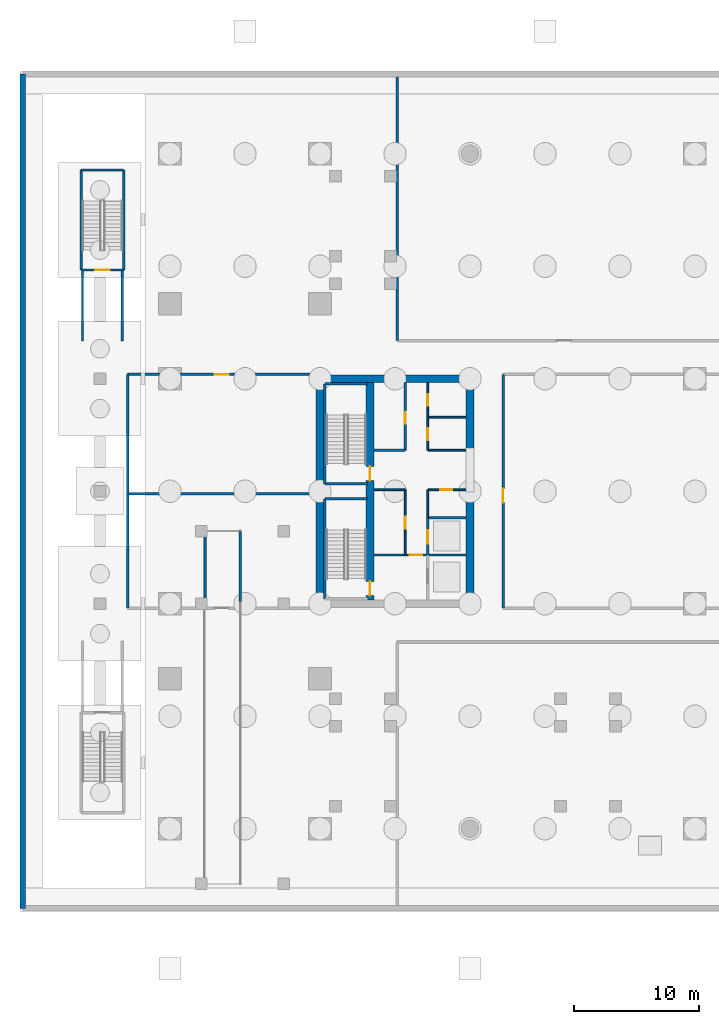
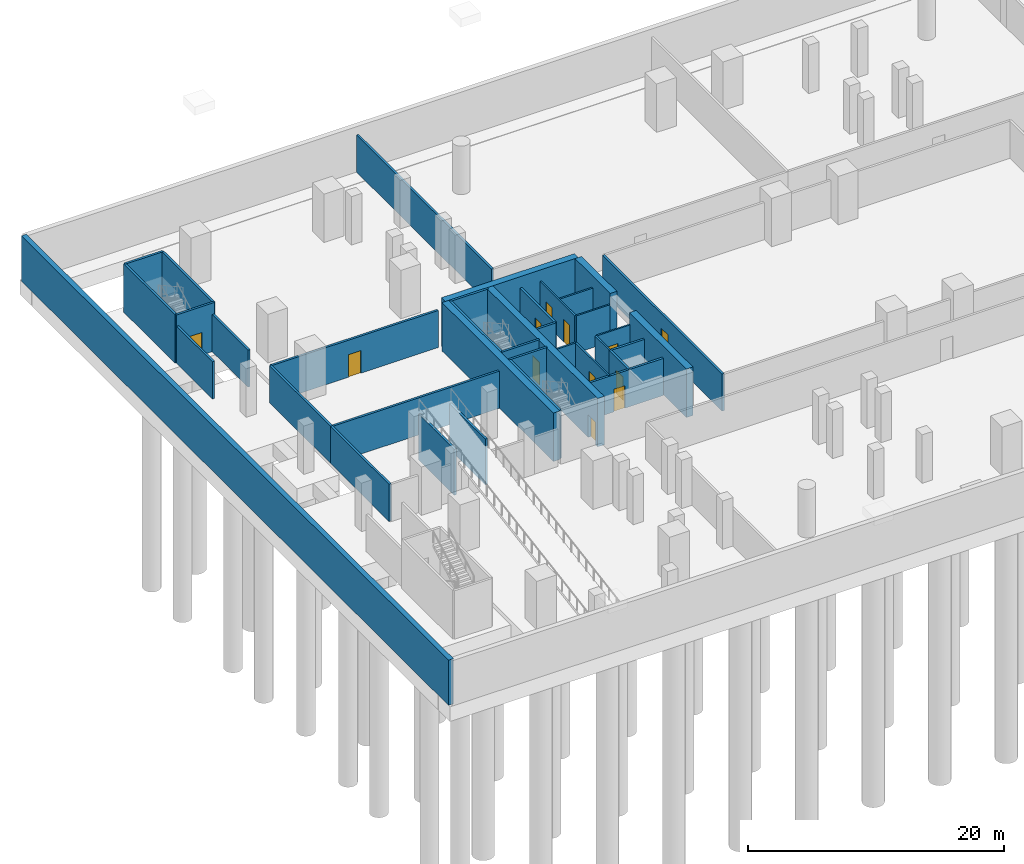
# One storey, part 6 of 14: 37 walls, 12 doors, 12 openings.
"""IFC4 building model written with IfcOpenShell, lengths in metres."""

from ifc_helpers import new_model, si_unit, direction, frame, frame_2d, origin, place, context, subcontext, project, spatial, rectangle, extrude, material, layer, layer_set, type_object, element, fill, save


model = new_model("IFC4")

# Units and contexts
model_context = context("Model", 3, precision=1e-05, world=origin(), true_north=direction((0.0, 1.0)))
body_context = subcontext(model_context, "Body", "Model", "MODEL_VIEW")
ifc_project = project(units=[si_unit("LENGTHUNIT", "METRE"), si_unit("AREAUNIT", "SQUARE_METRE"), si_unit("VOLUMEUNIT", "CUBIC_METRE"), si_unit("PLANEANGLEUNIT", "RADIAN"), si_unit("MASSUNIT", "GRAM", prefix="KILO")], contexts=[model_context])

# Site, building, storey
site_placement = place(None, origin())
site = spatial("IfcSite", under=ifc_project, at=site_placement, CompositionType="ELEMENT")
building_placement = place(site_placement, origin())
building = spatial("IfcBuilding", under=site, at=building_placement, Name="Tanjung Sevakor Pilgrim Tower", CompositionType="ELEMENT")
storey_placement = place(building_placement, frame((0.0, 0.0, -9.239990234375)))
storey = spatial("IfcBuildingStorey", under=building, at=storey_placement, Name="B02", CompositionType="ELEMENT", Elevation=-9.239990234375)

# Walls
ifc_material_1 = material(Name="Concrete C60/75", Category="concrete")
ifc_layer_1 = layer(ifc_material_1, 0.60009765625)
ifc_layer_set_1 = layer_set([ifc_layer_1], Name="WALL-CW-600B")
wall_type_1 = type_object("IfcWallType", Name="WALL-CW-600B", PredefinedType="SHEAR", material=ifc_layer_set_1)
wall_1_placement = place(storey_placement, frame((36.0, 42.60009765625, 0.0), z_axis=(0.0, 0.0, 1.0), x_axis=(-1.0, 0.0, 0.0)))
element("IfcWall", 1, at=wall_1_placement, inside=storey, type_object=wall_type_1, Name="B02 W Core North Shear Wall", PredefinedType="SHEAR", context=body_context, shape_type="SweptSolid", body=[
    extrude(rectangle(XDim=12.0, YDim=0.60009765625, at=frame_2d((6.0, 0.0))), origin(), (0.0, 0.0, 1.0), 4.619873046875),
])
wall_2_placement = place(storey_placement, frame((24.0, 24.89990234375, 0.0), z_axis=(0.0, 0.0, 1.0), x_axis=(0.0, 1.0, 0.0)))
element("IfcWall", 2, at=wall_2_placement, inside=storey, type_object=wall_type_1, Name="B02 W Core Outer Shear Wall", PredefinedType="SHEAR", context=body_context, shape_type="SweptSolid", body=[
    extrude(rectangle(XDim=17.400146484375, YDim=0.60009765625, at=frame_2d((8.7001953125, 0.0))), origin(), (0.0, 0.0, 1.0), 4.619873046875),
])
wall_3_placement = place(storey_placement, frame((36.0, 24.89990234375, 0.0), z_axis=(0.0, 0.0, 1.0), x_axis=(0.0, 1.0, 0.0)))
element("IfcWall", 3, at=wall_3_placement, inside=storey, type_object=wall_type_1, Name="B02 W Core Inner Shear Wall South", PredefinedType="SHEAR", context=body_context, shape_type="SweptSolid", body=[
    extrude(rectangle(XDim=8.900146484375, YDim=0.60009765625, at=frame_2d((4.4501953125, 0.0))), origin(), (0.0, 0.0, 1.0), 4.619873046875),
])
wall_4_placement = place(storey_placement, frame((36.0, 36.800048828125, 0.0), z_axis=(0.0, 0.0, 1.0), x_axis=(0.0, 1.0, 0.0)))
element("IfcWall", 4, at=wall_4_placement, inside=storey, type_object=wall_type_1, Name="B02 W Core Inner Shear Wall North", PredefinedType="SHEAR", context=body_context, shape_type="SweptSolid", body=[
    extrude(rectangle(XDim=5.5, YDim=0.60009765625, at=frame_2d((2.75, 0.0))), origin(), (0.0, 0.0, 1.0), 4.619873046875),
])

# Wall, openings, doors
wall_5_placement = place(storey_placement, frame((28.0, 24.89990234375, 0.0), z_axis=(0.0, 0.0, 1.0), x_axis=(0.0, 1.0, 0.0)))
wall_5 = element("IfcWall", 5, at=wall_5_placement, inside=storey, type_object=wall_type_1, Name="B02 W Core Stair Spine Wall", PredefinedType="SHEAR", context=body_context, shape_type="SweptSolid", body=[
    extrude(rectangle(XDim=17.400146484375, YDim=0.60009765625, at=frame_2d((8.7001953125, 0.0))), origin(), (0.0, 0.0, 1.0), 4.619873046875),
])
opening_1_placement = place(wall_5_placement, frame((0.35009765625, 0.0, 0.0)))
opening_1 = element("IfcOpeningElement", 6, at=opening_1_placement, cuts=wall_5, Name="Opening ID-ST1", PredefinedType="OPENING", context=body_context, shape_type="SweptSolid", body=[
    extrude(rectangle(XDim=1.14990234375, YDim=2.14990234375, at=frame_2d((0.574951171875, 1.074951171875))), frame((0.0, 0.31005859375, 0.0), z_axis=(0.0, -1.0, 0.0), x_axis=(1.0, 0.0, 0.0)), (0.0, 0.0, 1.0), 0.6201171875),
])
opening_2_placement = place(wall_5_placement, frame((9.550048828125, 0.0, 0.0)))
opening_2 = element("IfcOpeningElement", 7, at=opening_2_placement, cuts=wall_5, Name="Opening ID-ST1", PredefinedType="OPENING", context=body_context, shape_type="SweptSolid", body=[
    extrude(rectangle(XDim=1.14990234375, YDim=2.14990234375, at=frame_2d((0.574951171875, 1.074951171875))), frame((0.0, 0.31005859375, 0.0), z_axis=(0.0, -1.0, 0.0), x_axis=(1.0, 0.0, 0.0)), (0.0, 0.0, 1.0), 0.6201171875),
])
ifc_material_2 = material(Name="Fire-Rated Steel S355J2", Category="steel")
door_type_1 = type_object("IfcDoorType", Name="DT-FIRE-1150", OperationType="NOTDEFINED", PredefinedType="DOOR", material=ifc_material_2)
door_1_placement = place(opening_1_placement, origin())
door_1 = element("IfcDoor", 8, at=door_1_placement, inside=storey, type_object=door_type_1, Name="B02 TS-W1 Stair Fire Door", OperationType="SINGLE_SWING_LEFT", OverallHeight=2.14990234375, OverallWidth=1.14990234375, PredefinedType="DOOR", context=body_context, shape_type="SweptSolid", body=[
    extrude(rectangle(XDim=1.14990234375, YDim=2.14990234375, at=frame_2d((0.574951171875, 1.074951171875))), frame((0.0, 0.02490234375, 0.0), z_axis=(0.0, -1.0, 0.0), x_axis=(1.0, 0.0, 0.0)), (0.0, 0.0, 1.0), 0.050048828125),
])
fill(opening_1, door_1)
door_2_placement = place(opening_2_placement, origin())
door_2 = element("IfcDoor", 9, at=door_2_placement, inside=storey, type_object=door_type_1, Name="B02 TS-W2 Stair Fire Door", OperationType="SINGLE_SWING_RIGHT", OverallHeight=2.14990234375, OverallWidth=1.14990234375, PredefinedType="DOOR", context=body_context, shape_type="SweptSolid", body=[
    extrude(rectangle(XDim=1.14990234375, YDim=2.14990234375, at=frame_2d((0.574951171875, 1.074951171875))), frame((0.0, 0.02490234375, 0.0), z_axis=(0.0, -1.0, 0.0), x_axis=(1.0, 0.0, 0.0)), (0.0, 0.0, 1.0), 0.050048828125),
])
fill(opening_2, door_2)

# Wall
ifc_material_3 = material(Name="Concrete C40/50", Category="concrete")
ifc_layer_2 = layer(ifc_material_3, 0.14990234375)
ifc_layer_set_2 = layer_set([ifc_layer_2], Name="WT-COMP-150")
wall_type_2 = type_object("IfcWallType", Name="WT-COMP-150", PredefinedType="SOLIDWALL", material=ifc_layer_set_2)
wall_6_placement = place(storey_placement, frame((28.320068359375, 33.719970703125, 0.0), z_axis=(0.0, 0.0, 1.0), x_axis=(1.0, 0.0, 0.0)))
element("IfcWall", 10, at=wall_6_placement, inside=storey, type_object=wall_type_2, Name="B02 Partition IW-B02-003", PredefinedType="SOLIDWALL", context=body_context, shape_type="SweptSolid", body=[
    extrude(rectangle(XDim=2.47998046875, YDim=0.14990234375, at=frame_2d((1.239990234375, 0.0))), origin(), (0.0, 0.0, 1.0), 3.5400390625),
])

# Wall, opening, door
wall_7_placement = place(storey_placement, frame((30.820068359375, 28.5, 0.0), z_axis=(0.0, 0.0, 1.0), x_axis=(0.0, 1.0, 0.0)))
wall_7 = element("IfcWall", 11, at=wall_7_placement, inside=storey, type_object=wall_type_2, Name="B02 Partition IW-B02-004", PredefinedType="SOLIDWALL", context=body_context, shape_type="SweptSolid", body=[
    extrude(rectangle(XDim=5.219970703125, YDim=0.14990234375, at=frame_2d((2.60986328125, 0.0))), origin(), (0.0, 0.0, 1.0), 3.5400390625),
])
opening_3_placement = place(wall_7_placement, frame((2.10009765625, 0.0, 0.0)))
opening_3 = element("IfcOpeningElement", 12, at=opening_3_placement, cuts=wall_7, Name="Opening ID-FD2", PredefinedType="OPENING", context=body_context, shape_type="SweptSolid", body=[
    extrude(rectangle(XDim=0.949951171875, YDim=2.14990234375, at=frame_2d((0.47509765625, 1.074951171875))), frame((0.0, 0.0849609375, 0.0), z_axis=(0.0, -1.0, 0.0), x_axis=(1.0, 0.0, 0.0)), (0.0, 0.0, 1.0), 0.169921875),
])
ifc_material_4 = material(Name="Fire-Rated Timber", Category="wood")
door_type_2 = type_object("IfcDoorType", Name="DT-FIRE-950", OperationType="NOTDEFINED", PredefinedType="DOOR", material=ifc_material_4)
door_3_placement = place(opening_3_placement, origin())
door_3 = element("IfcDoor", 13, at=door_3_placement, inside=storey, type_object=door_type_2, Name="B02 Housekeeping Pantry Door", OperationType="SINGLE_SWING_RIGHT", OverallHeight=2.14990234375, OverallWidth=0.949951171875, PredefinedType="DOOR", context=body_context, shape_type="SweptSolid", body=[
    extrude(rectangle(XDim=0.949951171875, YDim=2.14990234375, at=frame_2d((0.47509765625, 1.074951171875))), frame((0.0, 0.02490234375, 0.0), z_axis=(0.0, -1.0, 0.0), x_axis=(1.0, 0.0, 0.0)), (0.0, 0.0, 1.0), 0.050048828125),
])
fill(opening_3, door_3)

# Wall
wall_8_placement = place(storey_placement, frame((32.6201171875, 31.47998046875, 0.0), z_axis=(0.0, 0.0, 1.0), x_axis=(0.0, 1.0, 0.0)))
element("IfcWall", 14, at=wall_8_placement, inside=storey, type_object=wall_type_2, Name="B02 Partition IW-B02-007", PredefinedType="SOLIDWALL", context=body_context, shape_type="SweptSolid", body=[
    extrude(rectangle(XDim=2.239990234375, YDim=0.14990234375, at=frame_2d((1.1201171875, 0.0))), origin(), (0.0, 0.0, 1.0), 3.5400390625),
])

# Wall, opening, door
wall_9_placement = place(storey_placement, frame((32.679931640625, 33.719970703125, 0.0), z_axis=(0.0, 0.0, 1.0), x_axis=(1.0, 0.0, 0.0)))
wall_9 = element("IfcWall", 15, at=wall_9_placement, inside=storey, type_object=wall_type_2, Name="B02 Partition IW-B02-008", PredefinedType="SOLIDWALL", context=body_context, shape_type="SweptSolid", body=[
    extrude(rectangle(XDim=3.0, YDim=0.14990234375, at=frame_2d((1.5, 0.0))), origin(), (0.0, 0.0, 1.0), 3.5400390625),
])
opening_4_placement = place(wall_9_placement, frame((0.949951171875, 0.0, 0.0)))
opening_4 = element("IfcOpeningElement", 16, at=opening_4_placement, cuts=wall_9, Name="Opening ID-FD2", PredefinedType="OPENING", context=body_context, shape_type="SweptSolid", body=[
    extrude(rectangle(XDim=0.949951171875, YDim=2.14990234375, at=frame_2d((0.47509765625, 1.074951171875))), frame((0.0, 0.0849609375, 0.0), z_axis=(0.0, -1.0, 0.0), x_axis=(1.0, 0.0, 0.0)), (0.0, 0.0, 1.0), 0.169921875),
])
door_4_placement = place(opening_4_placement, origin())
door_4 = element("IfcDoor", 17, at=door_4_placement, inside=storey, type_object=door_type_2, Name="B02 Accessible WC Door", OperationType="SINGLE_SWING_RIGHT", OverallHeight=2.14990234375, OverallWidth=0.949951171875, PredefinedType="DOOR", context=body_context, shape_type="SweptSolid", body=[
    extrude(rectangle(XDim=0.949951171875, YDim=2.14990234375, at=frame_2d((0.47509765625, 1.074951171875))), frame((0.0, 0.02490234375, 0.0), z_axis=(0.0, -1.0, 0.0), x_axis=(1.0, 0.0, 0.0)), (0.0, 0.0, 1.0), 0.050048828125),
])
fill(opening_4, door_4)

# Walls
for number, where, z_axis, x_axis, name in (
    (18, (32.679931640625, 36.8798828125, 0.0), (0.0, 0.0, 1.0), (1.0, 0.0, 0.0), "B02 Partition IW-B02-011"),
    (19, (32.679931640625, 39.52001953125, 0.0), (0.0, 0.0, 1.0), (1.0, 0.0, 0.0), "B02 Partition IW-B02-012"),
):
    element("IfcWall", number, at=place(storey_placement, frame(where, z_axis=z_axis, x_axis=x_axis)), inside=storey, type_object=wall_type_2, Name=name, PredefinedType="SOLIDWALL", context=body_context, shape_type="SweptSolid", body=[
        extrude(rectangle(XDim=3.0, YDim=0.14990234375, at=frame_2d((1.5, 0.0))), origin(), (0.0, 0.0, 1.0), 3.5400390625),
    ])

# Wall, openings, doors
wall_10_placement = place(storey_placement, frame((32.6201171875, 36.8798828125, 0.0), z_axis=(0.0, 0.0, 1.0), x_axis=(0.0, 1.0, 0.0)))
wall_10 = element("IfcWall", 20, at=wall_10_placement, inside=storey, type_object=wall_type_2, Name="B02 Partition IW-B02-013", PredefinedType="SOLIDWALL", context=body_context, shape_type="SweptSolid", body=[
    extrude(rectangle(XDim=5.420166015625, YDim=0.14990234375, at=frame_2d((2.7099609375, 0.0))), origin(), (0.0, 0.0, 1.0), 3.5400390625),
])
opening_5_placement = place(wall_10_placement, frame((0.800048828125, 0.0, 0.0)))
opening_5 = element("IfcOpeningElement", 21, at=opening_5_placement, cuts=wall_10, Name="Opening ID-FD2", PredefinedType="OPENING", context=body_context, shape_type="SweptSolid", body=[
    extrude(rectangle(XDim=0.949951171875, YDim=2.14990234375, at=frame_2d((0.47509765625, 1.074951171875))), frame((0.0, 0.0849609375, 0.0), z_axis=(0.0, -1.0, 0.0), x_axis=(1.0, 0.0, 0.0)), (0.0, 0.0, 1.0), 0.169921875),
])
opening_6_placement = place(wall_10_placement, frame((3.550048828125, 0.0, 0.0)))
opening_6 = element("IfcOpeningElement", 22, at=opening_6_placement, cuts=wall_10, Name="Opening ID-FD2", PredefinedType="OPENING", context=body_context, shape_type="SweptSolid", body=[
    extrude(rectangle(XDim=0.949951171875, YDim=2.14990234375, at=frame_2d((0.47509765625, 1.074951171875))), frame((0.0, 0.0849609375, 0.0), z_axis=(0.0, -1.0, 0.0), x_axis=(1.0, 0.0, 0.0)), (0.0, 0.0, 1.0), 0.169921875),
])
door_5_placement = place(opening_5_placement, origin())
door_5 = element("IfcDoor", 23, at=door_5_placement, inside=storey, type_object=door_type_2, Name="B02 Public Male WC Door", OperationType="SINGLE_SWING_RIGHT", OverallHeight=2.14990234375, OverallWidth=0.949951171875, PredefinedType="DOOR", context=body_context, shape_type="SweptSolid", body=[
    extrude(rectangle(XDim=0.949951171875, YDim=2.14990234375, at=frame_2d((0.47509765625, 1.074951171875))), frame((0.0, 0.02490234375, 0.0), z_axis=(0.0, -1.0, 0.0), x_axis=(1.0, 0.0, 0.0)), (0.0, 0.0, 1.0), 0.050048828125),
])
fill(opening_5, door_5)
door_6_placement = place(opening_6_placement, origin())
door_6 = element("IfcDoor", 24, at=door_6_placement, inside=storey, type_object=door_type_2, Name="B02 Public Female WC Door", OperationType="SINGLE_SWING_LEFT", OverallHeight=2.14990234375, OverallWidth=0.949951171875, PredefinedType="DOOR", context=body_context, shape_type="SweptSolid", body=[
    extrude(rectangle(XDim=0.949951171875, YDim=2.14990234375, at=frame_2d((0.47509765625, 1.074951171875))), frame((0.0, 0.02490234375, 0.0), z_axis=(0.0, -1.0, 0.0), x_axis=(1.0, 0.0, 0.0)), (0.0, 0.0, 1.0), 0.050048828125),
])
fill(opening_6, door_6)

# Walls
ifc_material_5 = material(Name="Concrete C40/50", Category="concrete")
ifc_layer_3 = layer(ifc_material_5, 0.199951171875)
ifc_layer_set_3 = layer_set([ifc_layer_3], Name="WT-FIRE-200")
wall_type_3 = type_object("IfcWallType", Name="WT-FIRE-200", PredefinedType="SOLIDWALL", material=ifc_layer_set_3)
wall_11_placement = place(storey_placement, frame((27.800048828125, 33.0, 0.0), z_axis=(0.0, 0.0, 1.0), x_axis=(-1.0, 0.0, 0.0)))
element("IfcWall", 25, at=wall_11_placement, inside=storey, type_object=wall_type_3, Name="B02 TS-W1 Shaft Wall 2", PredefinedType="SOLIDWALL", context=body_context, shape_type="SweptSolid", body=[
    extrude(rectangle(XDim=3.400146484375, YDim=0.199951171875, at=frame_2d((1.7001953125, 0.0))), origin(), (0.0, 0.0, 1.0), 4.619873046875),
])
wall_12_placement = place(storey_placement, frame((24.39990234375, 33.0, 0.0), z_axis=(0.0, 0.0, 1.0), x_axis=(0.0, -1.0, 0.0)))
element("IfcWall", 26, at=wall_12_placement, inside=storey, type_object=wall_type_3, Name="B02 TS-W1 Shaft Wall 3", PredefinedType="SOLIDWALL", context=body_context, shape_type="SweptSolid", body=[
    extrude(rectangle(XDim=8.0, YDim=0.199951171875, at=frame_2d((4.0, 0.0))), origin(), (0.0, 0.0, 1.0), 4.619873046875),
])
for number, where, z_axis, x_axis, name in (
    (27, (24.39990234375, 34.199951171875, 0.0), (0.0, 0.0, 1.0), (1.0, 0.0, 0.0), "B02 TS-W2 Shaft Wall 1"),
    (28, (27.800048828125, 42.199951171875, 0.0), (0.0, 0.0, 1.0), (-1.0, 0.0, 0.0), "B02 TS-W2 Shaft Wall 2"),
):
    element("IfcWall", number, at=place(storey_placement, frame(where, z_axis=z_axis, x_axis=x_axis)), inside=storey, type_object=wall_type_3, Name=name, PredefinedType="SOLIDWALL", context=body_context, shape_type="SweptSolid", body=[
        extrude(rectangle(XDim=3.400146484375, YDim=0.199951171875, at=frame_2d((1.7001953125, 0.0))), origin(), (0.0, 0.0, 1.0), 4.619873046875),
    ])
wall_13_placement = place(storey_placement, frame((24.39990234375, 42.199951171875, 0.0), z_axis=(0.0, 0.0, 1.0), x_axis=(0.0, -1.0, 0.0)))
element("IfcWall", 29, at=wall_13_placement, inside=storey, type_object=wall_type_3, Name="B02 TS-W2 Shaft Wall 3", PredefinedType="SOLIDWALL", context=body_context, shape_type="SweptSolid", body=[
    extrude(rectangle(XDim=8.0, YDim=0.199951171875, at=frame_2d((4.0, 0.0))), origin(), (0.0, 0.0, 1.0), 4.619873046875),
])

# Wall, opening, door
wall_14_placement = place(storey_placement, frame((4.89990234375, 51.300048828125, 0.0), z_axis=(0.0, 0.0, 1.0), x_axis=(1.0, 0.0, 0.0)))
wall_14 = element("IfcWall", 30, at=wall_14_placement, inside=storey, type_object=wall_type_3, Name="B02 BS-2 Shaft Wall 1", PredefinedType="SOLIDWALL", context=body_context, shape_type="SweptSolid", body=[
    extrude(rectangle(XDim=3.400146484375, YDim=0.199951171875, at=frame_2d((1.7001953125, 0.0))), origin(), (0.0, 0.0, 1.0), 4.619873046875),
])
opening_7_placement = place(wall_14_placement, frame((1.125, 0.0, 0.0)))
opening_7 = element("IfcOpeningElement", 31, at=opening_7_placement, cuts=wall_14, Name="Opening ID-ST1", PredefinedType="OPENING", context=body_context, shape_type="SweptSolid", body=[
    extrude(rectangle(XDim=1.14990234375, YDim=2.14990234375, at=frame_2d((0.574951171875, 1.074951171875))), frame((0.0, 0.10986328125, 0.0), z_axis=(0.0, -1.0, 0.0), x_axis=(1.0, 0.0, 0.0)), (0.0, 0.0, 1.0), 0.219970703125),
])
door_7_placement = place(opening_7_placement, origin())
door_7 = element("IfcDoor", 32, at=door_7_placement, inside=storey, type_object=door_type_1, Name="B02 BS-2 Stair Entry Fire Door", OperationType="SINGLE_SWING_RIGHT", OverallHeight=2.14990234375, OverallWidth=1.14990234375, PredefinedType="DOOR", context=body_context, shape_type="SweptSolid", body=[
    extrude(rectangle(XDim=1.14990234375, YDim=2.14990234375, at=frame_2d((0.574951171875, 1.074951171875))), frame((0.0, 0.02490234375, 0.0), z_axis=(0.0, -1.0, 0.0), x_axis=(1.0, 0.0, 0.0)), (0.0, 0.0, 1.0), 0.050048828125),
])
fill(opening_7, door_7)

# Walls
wall_15_placement = place(storey_placement, frame((8.300048828125, 51.300048828125, 0.0), z_axis=(0.0, 0.0, 1.0), x_axis=(0.0, 1.0, 0.0)))
element("IfcWall", 33, at=wall_15_placement, inside=storey, type_object=wall_type_3, Name="B02 BS-2 Shaft Wall 2", PredefinedType="SOLIDWALL", context=body_context, shape_type="SweptSolid", body=[
    extrude(rectangle(XDim=8.0, YDim=0.199951171875, at=frame_2d((4.0, 0.0))), origin(), (0.0, 0.0, 1.0), 4.619873046875),
])
wall_16_placement = place(storey_placement, frame((8.300048828125, 59.300048828125, 0.0), z_axis=(0.0, 0.0, 1.0), x_axis=(-1.0, 0.0, 0.0)))
element("IfcWall", 34, at=wall_16_placement, inside=storey, type_object=wall_type_3, Name="B02 BS-2 Shaft Wall 3", PredefinedType="SOLIDWALL", context=body_context, shape_type="SweptSolid", body=[
    extrude(rectangle(XDim=3.400146484375, YDim=0.199951171875, at=frame_2d((1.7001953125, 0.0))), origin(), (0.0, 0.0, 1.0), 4.619873046875),
])
wall_17_placement = place(storey_placement, frame((4.89990234375, 59.300048828125, 0.0), z_axis=(0.0, 0.0, 1.0), x_axis=(0.0, -1.0, 0.0)))
element("IfcWall", 35, at=wall_17_placement, inside=storey, type_object=wall_type_3, Name="B02 BS-2 Shaft Wall 4", PredefinedType="SOLIDWALL", context=body_context, shape_type="SweptSolid", body=[
    extrude(rectangle(XDim=8.0, YDim=0.199951171875, at=frame_2d((4.0, 0.0))), origin(), (0.0, 0.0, 1.0), 4.619873046875),
])
for number, where, z_axis, x_axis, name in (
    (36, (14.800048828125, 24.800048828125, 0.0), (0.0, 0.0, 1.0), (0.0, 1.0, 0.0), "B02 Vehicle Ramp Support Wall W"),
    (37, (17.60009765625, 24.800048828125, 0.0), (0.0, 0.0, 1.0), (0.0, 1.0, 0.0), "B02 Vehicle Ramp Support Wall E"),
):
    element("IfcWall", number, at=place(storey_placement, frame(where, z_axis=z_axis, x_axis=x_axis)), inside=storey, type_object=wall_type_3, Name=name, PredefinedType="SOLIDWALL", context=body_context, shape_type="SweptSolid", body=[
        extrude(rectangle(XDim=5.599853515625, YDim=0.199951171875, at=frame_2d((2.7998046875, 0.0))), origin(), (0.0, 0.0, 1.0), 4.369873046875),
    ])

# Wall, opening, door
ifc_material_6 = material(Name="Concrete C40/50", Category="concrete")
ifc_layer_4 = layer(ifc_material_6, 0.199951171875)
ifc_layer_set_4 = layer_set([ifc_layer_4], Name="WT-FPRT-200")
wall_type_4 = type_object("IfcWallType", Name="WT-FPRT-200", PredefinedType="SOLIDWALL", material=ifc_layer_set_4)
wall_18_placement = place(storey_placement, frame((28.320068359375, 28.5, 0.0), z_axis=(0.0, 0.0, 1.0), x_axis=(1.0, 0.0, 0.0)))
wall_18 = element("IfcWall", 38, at=wall_18_placement, inside=storey, type_object=wall_type_4, Name="B02 Partition IW-B02-002", PredefinedType="SOLIDWALL", context=body_context, shape_type="SweptSolid", body=[
    extrude(rectangle(XDim=7.35986328125, YDim=0.199951171875, at=frame_2d((3.679931640625, 0.0))), origin(), (0.0, 0.0, 1.0), 3.5400390625),
])
opening_8_placement = place(wall_18_placement, frame((2.8798828125, 0.0, 0.0)))
opening_8 = element("IfcOpeningElement", 39, at=opening_8_placement, cuts=wall_18, Name="Opening ID-FD1", PredefinedType="OPENING", context=body_context, shape_type="SweptSolid", body=[
    extrude(rectangle(XDim=1.0, YDim=2.14990234375, at=frame_2d((0.5, 1.074951171875))), frame((0.0, 0.10986328125, 0.0), z_axis=(0.0, -1.0, 0.0), x_axis=(1.0, 0.0, 0.0)), (0.0, 0.0, 1.0), 0.219970703125),
])
ifc_material_7 = material(Name="Fire-Rated Steel S355J2", Category="steel")
door_type_3 = type_object("IfcDoorType", Name="DT-FIRE-1000", OperationType="NOTDEFINED", PredefinedType="DOOR", material=ifc_material_7)
door_8_placement = place(opening_8_placement, origin())
door_8 = element("IfcDoor", 40, at=door_8_placement, inside=storey, type_object=door_type_3, Name="Fire Lobby Door W", OperationType="SINGLE_SWING_LEFT", OverallHeight=2.14990234375, OverallWidth=1.0, PredefinedType="DOOR", context=body_context, shape_type="SweptSolid", body=[
    extrude(rectangle(XDim=1.0, YDim=2.14990234375, at=frame_2d((0.5, 1.074951171875))), frame((0.0, 0.02490234375, 0.0), z_axis=(0.0, -1.0, 0.0), x_axis=(1.0, 0.0, 0.0)), (0.0, 0.0, 1.0), 0.050048828125),
])
fill(opening_8, door_8)

# Wall
wall_19_placement = place(storey_placement, frame((32.679931640625, 31.47998046875, 0.0), z_axis=(0.0, 0.0, 1.0), x_axis=(1.0, 0.0, 0.0)))
element("IfcWall", 41, at=wall_19_placement, inside=storey, type_object=wall_type_4, Name="B02 Partition IW-B02-005", PredefinedType="SOLIDWALL", context=body_context, shape_type="SweptSolid", body=[
    extrude(rectangle(XDim=3.0, YDim=0.199951171875, at=frame_2d((1.5, 0.0))), origin(), (0.0, 0.0, 1.0), 3.5400390625),
])

# Wall, opening, door
wall_20_placement = place(storey_placement, frame((32.6201171875, 28.5, 0.0), z_axis=(0.0, 0.0, 1.0), x_axis=(0.0, 1.0, 0.0)))
wall_20 = element("IfcWall", 42, at=wall_20_placement, inside=storey, type_object=wall_type_4, Name="B02 Partition IW-B02-006", PredefinedType="SOLIDWALL", context=body_context, shape_type="SweptSolid", body=[
    extrude(rectangle(XDim=2.97998046875, YDim=0.199951171875, at=frame_2d((1.489990234375, 0.0))), origin(), (0.0, 0.0, 1.0), 3.5400390625),
])
opening_9_placement = place(wall_20_placement, frame((0.89990234375, 0.0, 0.0)))
opening_9 = element("IfcOpeningElement", 43, at=opening_9_placement, cuts=wall_20, Name="Opening LD-1100", PredefinedType="OPENING", context=body_context, shape_type="SweptSolid", body=[
    extrude(rectangle(XDim=1.10009765625, YDim=2.199951171875, at=frame_2d((0.550048828125, 1.10009765625))), frame((0.0, 0.10986328125, 0.0), z_axis=(0.0, -1.0, 0.0), x_axis=(1.0, 0.0, 0.0)), (0.0, 0.0, 1.0), 0.219970703125),
])
ifc_material_8 = material(Name="Brushed Stainless Steel S355J2", Category="steel")
door_type_4 = type_object("IfcDoorType", Name="DT-LIFT-1100", OperationType="SLIDING_TO_LEFT", PredefinedType="DOOR", material=ifc_material_8)
door_9_placement = place(opening_9_placement, origin())
door_9 = element("IfcDoor", 44, at=door_9_placement, inside=storey, type_object=door_type_4, Name="LD-SLP-W", OperationType="SLIDING_TO_LEFT", OverallHeight=2.199951171875, OverallWidth=1.10009765625, PredefinedType="DOOR", context=body_context, shape_type="SweptSolid", body=[
    extrude(rectangle(XDim=1.10009765625, YDim=2.199951171875, at=frame_2d((0.550048828125, 1.10009765625))), frame((0.0, 0.02490234375, 0.0), z_axis=(0.0, -1.0, 0.0), x_axis=(1.0, 0.0, 0.0)), (0.0, 0.0, 1.0), 0.050048828125),
])
fill(opening_9, door_9)

# Wall
wall_21_placement = place(storey_placement, frame((28.320068359375, 36.8798828125, 0.0), z_axis=(0.0, 0.0, 1.0), x_axis=(1.0, 0.0, 0.0)))
element("IfcWall", 45, at=wall_21_placement, inside=storey, type_object=wall_type_4, Name="B02 Partition IW-B02-009", PredefinedType="SOLIDWALL", context=body_context, shape_type="SweptSolid", body=[
    extrude(rectangle(XDim=2.47998046875, YDim=0.199951171875, at=frame_2d((1.239990234375, 0.0))), origin(), (0.0, 0.0, 1.0), 3.5400390625),
])

# Wall, opening, door
wall_22_placement = place(storey_placement, frame((30.820068359375, 36.8798828125, 0.0), z_axis=(0.0, 0.0, 1.0), x_axis=(0.0, 1.0, 0.0)))
wall_22 = element("IfcWall", 46, at=wall_22_placement, inside=storey, type_object=wall_type_4, Name="B02 Partition IW-B02-010", PredefinedType="SOLIDWALL", context=body_context, shape_type="SweptSolid", body=[
    extrude(rectangle(XDim=5.420166015625, YDim=0.199951171875, at=frame_2d((2.7099609375, 0.0))), origin(), (0.0, 0.0, 1.0), 3.5400390625),
])
opening_10_placement = place(wall_22_placement, frame((2.10009765625, 0.0, 0.0)))
opening_10 = element("IfcOpeningElement", 47, at=opening_10_placement, cuts=wall_22, Name="Opening ID-FD2", PredefinedType="OPENING", context=body_context, shape_type="SweptSolid", body=[
    extrude(rectangle(XDim=0.949951171875, YDim=2.14990234375, at=frame_2d((0.47509765625, 1.074951171875))), frame((0.0, 0.10986328125, 0.0), z_axis=(0.0, -1.0, 0.0), x_axis=(1.0, 0.0, 0.0)), (0.0, 0.0, 1.0), 0.219970703125),
])
door_10_placement = place(opening_10_placement, origin())
door_10 = element("IfcDoor", 48, at=door_10_placement, inside=storey, type_object=door_type_2, Name="B02 Electrical Riser Door", OperationType="SINGLE_SWING_LEFT", OverallHeight=2.14990234375, OverallWidth=0.949951171875, PredefinedType="DOOR", context=body_context, shape_type="SweptSolid", body=[
    extrude(rectangle(XDim=0.949951171875, YDim=2.14990234375, at=frame_2d((0.47509765625, 1.074951171875))), frame((0.0, 0.02490234375, 0.0), z_axis=(0.0, -1.0, 0.0), x_axis=(1.0, 0.0, 0.0)), (0.0, 0.0, 1.0), 0.050048828125),
])
fill(opening_10, door_10)

# Walls
for number, where, z_axis, x_axis, name in (
    (49, (5.0, 45.60009765625, 0.0), (0.0, 0.0, 1.0), (0.0, 1.0, 0.0), "B02 Partition IW-B02-027"),
    (50, (8.199951171875, 45.60009765625, 0.0), (0.0, 0.0, 1.0), (0.0, 1.0, 0.0), "B02 Partition IW-B02-028"),
):
    element("IfcWall", number, at=place(storey_placement, frame(where, z_axis=z_axis, x_axis=x_axis)), inside=storey, type_object=wall_type_4, Name=name, PredefinedType="SOLIDWALL", context=body_context, shape_type="SweptSolid", body=[
        extrude(rectangle(XDim=5.699951171875, YDim=0.199951171875, at=frame_2d((2.85009765625, 0.0))), origin(), (0.0, 0.0, 1.0), 3.5400390625),
    ])

# Wall, opening, door
wall_23_placement = place(storey_placement, frame((38.64990234375, 24.25, 0.0), z_axis=(0.0, 0.0, 1.0), x_axis=(0.0, 1.0, 0.0)))
wall_23 = element("IfcWall", 51, at=wall_23_placement, inside=storey, type_object=wall_type_4, Name="B02 Partition IW-B02-040", PredefinedType="SOLIDWALL", context=body_context, shape_type="SweptSolid", body=[
    extrude(rectangle(XDim=18.699951171875, YDim=0.199951171875, at=frame_2d((9.35009765625, 0.0))), origin(), (0.0, 0.0, 1.0), 3.5400390625),
])
opening_11_placement = place(wall_23_placement, frame((8.449951171875, 0.0, 0.0)))
opening_11 = element("IfcOpeningElement", 52, at=opening_11_placement, cuts=wall_23, Name="Opening ID-FD0", PredefinedType="OPENING", context=body_context, shape_type="SweptSolid", body=[
    extrude(rectangle(XDim=1.10009765625, YDim=2.14990234375, at=frame_2d((0.550048828125, 1.074951171875))), frame((0.0, 0.10986328125, 0.0), z_axis=(0.0, -1.0, 0.0), x_axis=(1.0, 0.0, 0.0)), (0.0, 0.0, 1.0), 0.219970703125),
])
ifc_material_9 = material(Name="Fire-Rated Steel S355J2", Category="steel")
door_type_5 = type_object("IfcDoorType", Name="DT-FIRE-1100", OperationType="NOTDEFINED", PredefinedType="DOOR", material=ifc_material_9)
door_11_placement = place(opening_11_placement, origin())
door_11 = element("IfcDoor", 53, at=door_11_placement, inside=storey, type_object=door_type_5, Name="B02 Chiller Plant Door", OperationType="SINGLE_SWING_LEFT", OverallHeight=2.14990234375, OverallWidth=1.10009765625, PredefinedType="DOOR", context=body_context, shape_type="SweptSolid", body=[
    extrude(rectangle(XDim=1.10009765625, YDim=2.14990234375, at=frame_2d((0.550048828125, 1.074951171875))), frame((0.0, 0.02490234375, 0.0), z_axis=(0.0, -1.0, 0.0), x_axis=(1.0, 0.0, 0.0)), (0.0, 0.0, 1.0), 0.050048828125),
])
fill(opening_11, door_11)

# Walls
wall_24_placement = place(storey_placement, frame((8.60009765625, 33.39990234375, 0.0), z_axis=(0.0, 0.0, 1.0), x_axis=(1.0, 0.0, 0.0)))
element("IfcWall", 54, at=wall_24_placement, inside=storey, type_object=wall_type_4, Name="B02 Partition IW-B02-043", PredefinedType="SOLIDWALL", context=body_context, shape_type="SweptSolid", body=[
    extrude(rectangle(XDim=15.079833984375, YDim=0.199951171875, at=frame_2d((7.5400390625, 0.0))), origin(), (0.0, 0.0, 1.0), 3.5400390625),
])
wall_25_placement = place(storey_placement, frame((8.60009765625, 24.25, 0.0), z_axis=(0.0, 0.0, 1.0), x_axis=(0.0, 1.0, 0.0)))
element("IfcWall", 55, at=wall_25_placement, inside=storey, type_object=wall_type_4, Name="B02 Partition IW-B02-044", PredefinedType="SOLIDWALL", context=body_context, shape_type="SweptSolid", body=[
    extrude(rectangle(XDim=9.14990234375, YDim=0.199951171875, at=frame_2d((4.574951171875, 0.0))), origin(), (0.0, 0.0, 1.0), 3.5400390625),
])

# Wall, opening, door
wall_26_placement = place(storey_placement, frame((8.60009765625, 42.949951171875, 0.0), z_axis=(0.0, 0.0, 1.0), x_axis=(1.0, 0.0, 0.0)))
wall_26 = element("IfcWall", 56, at=wall_26_placement, inside=storey, type_object=wall_type_4, Name="B02 Partition IW-B02-045", PredefinedType="SOLIDWALL", context=body_context, shape_type="SweptSolid", body=[
    extrude(rectangle(XDim=15.079833984375, YDim=0.199951171875, at=frame_2d((7.5400390625, 0.0))), origin(), (0.0, 0.0, 1.0), 3.5400390625),
])
opening_12_placement = place(wall_26_placement, frame((6.989990234375, 0.0, 0.0)))
opening_12 = element("IfcOpeningElement", 57, at=opening_12_placement, cuts=wall_26, Name="Opening ID-FD0", PredefinedType="OPENING", context=body_context, shape_type="SweptSolid", body=[
    extrude(rectangle(XDim=1.10009765625, YDim=2.14990234375, at=frame_2d((0.550048828125, 1.074951171875))), frame((0.0, 0.10986328125, 0.0), z_axis=(0.0, -1.0, 0.0), x_axis=(1.0, 0.0, 0.0)), (0.0, 0.0, 1.0), 0.219970703125),
])
door_12_placement = place(opening_12_placement, origin())
door_12 = element("IfcDoor", 58, at=door_12_placement, inside=storey, type_object=door_type_5, Name="B02 Rainwater Tank Door", OperationType="SINGLE_SWING_LEFT", OverallHeight=2.14990234375, OverallWidth=1.10009765625, PredefinedType="DOOR", context=body_context, shape_type="SweptSolid", body=[
    extrude(rectangle(XDim=1.10009765625, YDim=2.14990234375, at=frame_2d((0.550048828125, 1.074951171875))), frame((0.0, 0.02490234375, 0.0), z_axis=(0.0, -1.0, 0.0), x_axis=(1.0, 0.0, 0.0)), (0.0, 0.0, 1.0), 0.050048828125),
])
fill(opening_12, door_12)

# Walls
wall_27_placement = place(storey_placement, frame((8.60009765625, 33.39990234375, 0.0), z_axis=(0.0, 0.0, 1.0), x_axis=(0.0, 1.0, 0.0)))
element("IfcWall", 59, at=wall_27_placement, inside=storey, type_object=wall_type_4, Name="B02 Partition IW-B02-046", PredefinedType="SOLIDWALL", context=body_context, shape_type="SweptSolid", body=[
    extrude(rectangle(XDim=9.550048828125, YDim=0.199951171875, at=frame_2d((4.77490234375, 0.0))), origin(), (0.0, 0.0, 1.0), 3.5400390625),
])
wall_28_placement = place(storey_placement, frame((30.199951171875, 45.64990234375, 0.0), z_axis=(0.0, 0.0, 1.0), x_axis=(0.0, 1.0, 0.0)))
element("IfcWall", 60, at=wall_28_placement, inside=storey, type_object=wall_type_4, Name="B02 Partition IW-B02-051", PredefinedType="SOLIDWALL", context=body_context, shape_type="SweptSolid", body=[
    extrude(rectangle(XDim=21.10009765625, YDim=0.199951171875, at=frame_2d((10.550048828125, 0.0))), origin(), (0.0, 0.0, 1.0), 3.5400390625),
])
ifc_material_10 = material(Name="Concrete C50/60", Category="concrete")
ifc_layer_5 = layer(ifc_material_10, 0.449951171875)
ifc_layer_set_5 = layer_set([ifc_layer_5], Name="WT-RET-450")
wall_type_5 = type_object("IfcWallType", Name="WT-RET-450", PredefinedType="USERDEFINED", material=ifc_layer_set_5)
wall_29_placement = place(storey_placement, frame((0.22509765625, 66.97509765625, 0.0), z_axis=(0.0, 0.0, 1.0), x_axis=(0.0, -1.0, 0.0)))
element("IfcWall", 61, at=wall_29_placement, inside=storey, type_object=wall_type_5, Name="B02 Perimeter Retaining Wall 4", ObjectType="RETAININGWALL", PredefinedType="USERDEFINED", context=body_context, shape_type="SweptSolid", body=[
    extrude(rectangle(XDim=66.75, YDim=0.449951171875, at=frame_2d((33.375, 0.0))), origin(), (0.0, 0.0, 1.0), 4.320068359375),
])

save(model, "model.ifc")
